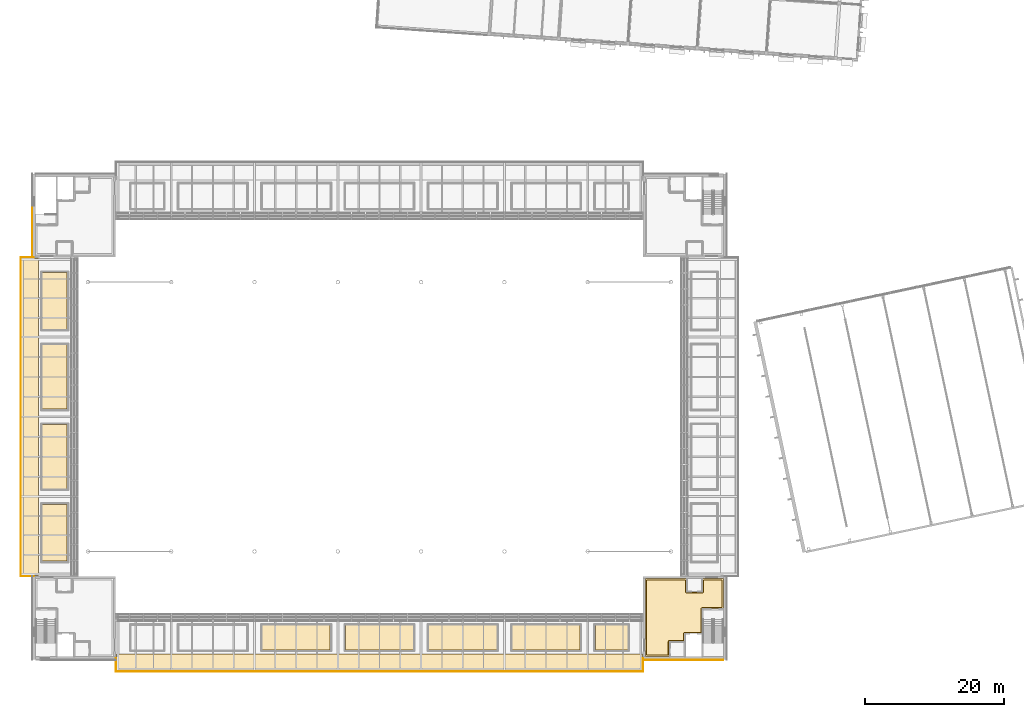
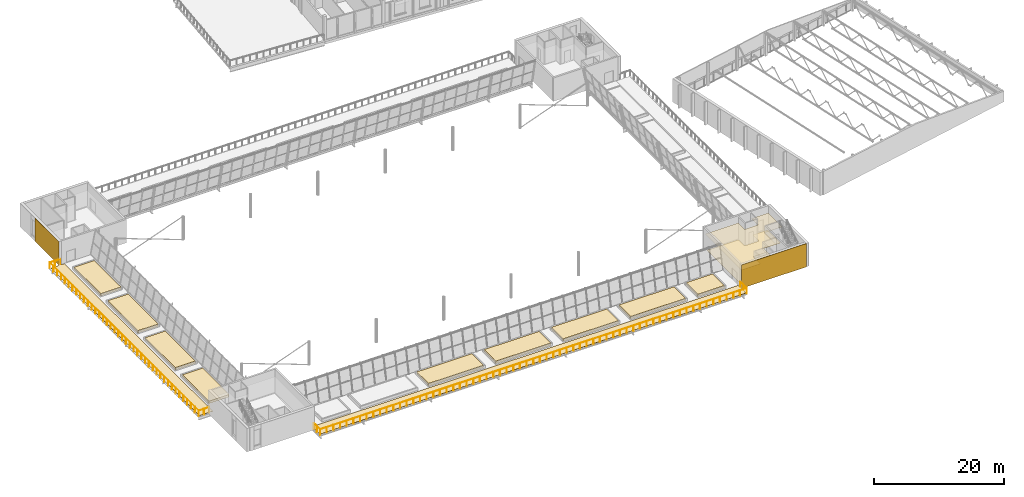
# One storey, part 49 of 58: 15 coverings, 2 railings.
"""IFC4 building model written with IfcOpenShell, lengths in metres."""

from ifc_helpers import new_model, si_unit, direction, frame, origin, origin_2d, place, context, subcontext, project, spatial, polyline, circle, outline, extrude, material, layer, layer_set, type_object, element, save


model = new_model("IFC4")

# Units and contexts
model_context = context("Model", 3, precision=1e-05, world=origin(), true_north=direction((0.0, 1.0)))
body_context = subcontext(model_context, "Body", "Model", "MODEL_VIEW")
ifc_project = project(units=[si_unit("LENGTHUNIT", "METRE"), si_unit("AREAUNIT", "SQUARE_METRE"), si_unit("VOLUMEUNIT", "CUBIC_METRE"), si_unit("PLANEANGLEUNIT", "RADIAN"), si_unit("MASSUNIT", "GRAM", prefix="KILO")], contexts=[model_context])

# Site, building, storey
site_placement = place(None, origin())
site = spatial("IfcSite", under=ifc_project, at=site_placement, CompositionType="ELEMENT")
building_placement = place(site_placement, origin())
building = spatial("IfcBuilding", under=site, at=building_placement, Name="Windward Yard Aquatics Centre", CompositionType="ELEMENT")
storey_placement = place(building_placement, frame((0.0, 0.0, 13.800048828125)))
storey = spatial("IfcBuildingStorey", under=building, at=storey_placement, Name="L03", CompositionType="ELEMENT", Elevation=13.800048828125)

# Coverings
ifc_material_1 = material(Name="Polished screed")
ifc_layer_1 = layer(ifc_material_1, 0.0400390625)
ifc_layer_set_1 = layer_set([ifc_layer_1], Name="H Floor Finish Screed 40")
covering_type_1 = type_object("IfcCoveringType", Name="H Floor Finish Screed 40", PredefinedType="FLOORING", material=ifc_layer_set_1)
covering_1_placement = place(storey_placement, origin())
element("IfcCovering", 1, at=covering_1_placement, inside=storey, type_object=covering_type_1, Name="Core Lobby SE floor finish", PredefinedType="FLOORING", context=body_context, shape_type="SweptSolid", body=[
    extrude(outline(polyline([(140.5, 26.64990234375), (140.5, 37.5), (146.10009765625, 37.5), (146.10107421875, 35.780517578125), (146.108642578125, 35.741943359375), (146.115234375, 35.723388671875), (146.1337890625, 35.68896484375), (146.15869140625, 35.65869140625), (146.18896484375, 35.6337890625), (146.223388671875, 35.615234375), (146.260986328125, 35.603759765625), (146.300048828125, 35.60009765625), (148.5, 35.60009765625), (148.51953125, 35.60107421875), (148.55810546875, 35.608642578125), (148.59423828125, 35.62353515625), (148.626953125, 35.6455078125), (148.641357421875, 35.65869140625), (148.666259765625, 35.68896484375), (148.684814453125, 35.723388671875), (148.6962890625, 35.760986328125), (148.699951171875, 35.800048828125), (148.699951171875, 37.5), (151.35009765625, 37.5), (151.35009765625, 33.5), (148.5, 33.5), (148.48046875, 33.4990234375), (148.44189453125, 33.491455078125), (148.40576171875, 33.476318359375), (148.373046875, 33.45458984375), (148.358642578125, 33.44140625), (148.333740234375, 33.4111328125), (148.315185546875, 33.37646484375), (148.3037109375, 33.339111328125), (148.300048828125, 33.300048828125), (148.300048828125, 29.949951171875), (146.0, 29.949951171875), (145.9609375, 29.9462890625), (145.94189453125, 29.94140625), (145.923583984375, 29.934814453125), (145.888916015625, 29.916259765625), (145.858642578125, 29.891357421875), (145.845458984375, 29.876953125), (145.833740234375, 29.861083984375), (145.815185546875, 29.826416015625), (145.80859375, 29.80810546875), (145.801025390625, 29.76953125), (145.800048828125, 28.800048828125), (143.800048828125, 28.800048828125), (143.760986328125, 28.796142578125), (143.741943359375, 28.79150390625), (143.723388671875, 28.784912109375), (143.68896484375, 28.766357421875), (143.65869140625, 28.741455078125), (143.6337890625, 28.711181640625), (143.62353515625, 28.6943359375), (143.608642578125, 28.658203125), (143.60107421875, 28.61962890625), (143.60009765625, 28.60009765625), (143.60009765625, 26.64990234375), (140.5, 26.64990234375)])), origin(), (0.0, 0.0, 1.0), 0.02001953125),
])
ifc_material_2 = material(Name="Mineral fibre tile")
ifc_layer_2 = layer(ifc_material_2, 0.02001953125)
ifc_layer_set_2 = layer_set([ifc_layer_2], Name="H Suspended Ceiling 600 x 600")
covering_type_2 = type_object("IfcCoveringType", Name="H Suspended Ceiling 600 x 600", PredefinedType="CEILING", material=ifc_layer_set_2)
covering_2_placement = place(storey_placement, frame((0.0, 0.0, 3.0)))
element("IfcCovering", 2, at=covering_2_placement, inside=storey, type_object=covering_type_2, Name="Core Lobby SE ceiling", PredefinedType="CEILING", context=body_context, shape_type="SweptSolid", body=[
    extrude(outline(polyline([(140.300537109375, 26.450439453125), (140.300537109375, 37.699462890625), (146.224609375, 37.699462890625), (146.224609375, 35.72509765625), (148.575439453125, 35.72509765625), (148.575439453125, 37.699462890625), (151.549560546875, 37.699462890625), (151.549560546875, 33.400390625), (148.3994140625, 33.39990234375), (148.3994140625, 29.8505859375), (145.8994140625, 29.85009765625), (145.8994140625, 28.675537109375), (143.724609375, 28.675048828125), (143.724609375, 26.450439453125), (140.300537109375, 26.450439453125)])), origin(), (0.0, 0.0, 1.0), 0.02001953125),
])
ifc_material_3 = material(Name="Natural limestone cladding", Category="masonry")
ifc_layer_3 = layer(ifc_material_3, 0.0400390625)
ifc_layer_set_3 = layer_set([ifc_layer_3], Name="H natural stone cladding 40")
covering_type_3 = type_object("IfcCoveringType", Name="H natural stone cladding 40", PredefinedType="CLADDING", material=ifc_layer_set_3)
covering_3_placement = place(storey_placement, origin())
element("IfcCovering", 3, at=covering_3_placement, inside=storey, type_object=covering_type_3, Name="Stone cladding panel 83", PredefinedType="CLADDING", context=body_context, shape_type="SweptSolid", body=[
    extrude(outline(polyline([(51.9599609375, 84.0), (51.9599609375, 91.39990234375), (52.0, 91.39990234375), (52.0, 84.0), (51.9599609375, 84.0)])), origin(), (0.0, 0.0, 1.0), 4.39990234375),
])
covering_4_placement = place(storey_placement, origin())
element("IfcCovering", 4, at=covering_4_placement, inside=storey, type_object=covering_type_3, Name="Stone cladding panel 109", PredefinedType="CLADDING", context=body_context, shape_type="SweptSolid", body=[
    extrude(outline(polyline([(140.0, 25.9599609375), (151.550048828125, 25.9599609375), (151.550048828125, 26.0), (140.0, 26.0), (140.0, 25.9599609375)])), origin(), (0.0, 0.0, 1.0), 4.39990234375),
])
ifc_material_4 = material(Name="Planting soil")
ifc_layer_4 = layer(ifc_material_4, 0.398, Name="Planting")
ifc_material_5 = material(Name="Filter fabric")
ifc_layer_5 = layer(ifc_material_5, 0.002, Name="Filter")
ifc_material_6 = material(Name="Drainage board")
ifc_layer_6 = layer(ifc_material_6, 0.05, Name="Drainage")
ifc_layer_set_4 = layer_set([ifc_layer_4, ifc_layer_5, ifc_layer_6], Name="H planting bed 450")
covering_type_4 = type_object("IfcCoveringType", Name="H planting bed 450", PredefinedType="USERDEFINED", material=ifc_layer_set_4)
covering_5_placement = place(storey_placement, origin())
element("IfcCovering", 5, at=covering_5_placement, inside=storey, type_object=covering_type_4, Name="Planting bed T1 S3", ObjectType="PLANTING BED", PredefinedType="USERDEFINED", context=body_context, shape_type="SweptSolid", body=[
    extrude(outline(polyline([(85.10009765625, 27.39990234375), (94.89990234375, 27.39990234375), (94.89990234375, 31.0), (85.10009765625, 31.0), (85.10009765625, 27.39990234375)])), origin(), (0.0, 0.0, 1.0), 0.449951171875),
])
covering_6_placement = place(storey_placement, origin())
element("IfcCovering", 6, at=covering_6_placement, inside=storey, type_object=covering_type_4, Name="Planting bed T1 S4", ObjectType="PLANTING BED", PredefinedType="USERDEFINED", context=body_context, shape_type="SweptSolid", body=[
    extrude(outline(polyline([(97.10009765625, 27.39990234375), (106.89990234375, 27.39990234375), (106.89990234375, 31.0), (97.10009765625, 31.0), (97.10009765625, 27.39990234375)])), origin(), (0.0, 0.0, 1.0), 0.449951171875),
])
covering_7_placement = place(storey_placement, origin())
element("IfcCovering", 7, at=covering_7_placement, inside=storey, type_object=covering_type_4, Name="Planting bed T1 S5", ObjectType="PLANTING BED", PredefinedType="USERDEFINED", context=body_context, shape_type="SweptSolid", body=[
    extrude(outline(polyline([(109.10009765625, 27.39990234375), (118.89990234375, 27.39990234375), (118.89990234375, 31.0), (109.10009765625, 31.0), (109.10009765625, 27.39990234375)])), origin(), (0.0, 0.0, 1.0), 0.449951171875),
])
covering_8_placement = place(storey_placement, origin())
element("IfcCovering", 8, at=covering_8_placement, inside=storey, type_object=covering_type_4, Name="Planting bed T1 S6", ObjectType="PLANTING BED", PredefinedType="USERDEFINED", context=body_context, shape_type="SweptSolid", body=[
    extrude(outline(polyline([(121.10009765625, 27.39990234375), (130.89990234375, 27.39990234375), (130.89990234375, 31.0), (121.10009765625, 31.0), (121.10009765625, 27.39990234375)])), origin(), (0.0, 0.0, 1.0), 0.449951171875),
])
covering_9_placement = place(storey_placement, origin())
element("IfcCovering", 9, at=covering_9_placement, inside=storey, type_object=covering_type_4, Name="Planting bed T1 S7", ObjectType="PLANTING BED", PredefinedType="USERDEFINED", context=body_context, shape_type="SweptSolid", body=[
    extrude(outline(polyline([(133.10009765625, 27.39990234375), (137.800048828125, 27.39990234375), (137.800048828125, 31.0), (133.10009765625, 31.0), (133.10009765625, 27.39990234375)])), origin(), (0.0, 0.0, 1.0), 0.449951171875),
])
covering_10_placement = place(storey_placement, origin())
element("IfcCovering", 10, at=covering_10_placement, inside=storey, type_object=covering_type_4, Name="Planting bed T1 W1", ObjectType="PLANTING BED", PredefinedType="USERDEFINED", context=body_context, shape_type="SweptSolid", body=[
    extrude(outline(polyline([(53.39990234375, 40.199951171875), (57.0, 40.199951171875), (57.0, 48.39990234375), (53.39990234375, 48.39990234375), (53.39990234375, 40.199951171875)])), origin(), (0.0, 0.0, 1.0), 0.449951171875),
])
covering_11_placement = place(storey_placement, origin())
element("IfcCovering", 11, at=covering_11_placement, inside=storey, type_object=covering_type_4, Name="Planting bed T1 W2", ObjectType="PLANTING BED", PredefinedType="USERDEFINED", context=body_context, shape_type="SweptSolid", body=[
    extrude(outline(polyline([(53.39990234375, 50.60009765625), (57.0, 50.60009765625), (57.0, 59.89990234375), (53.39990234375, 59.89990234375), (53.39990234375, 50.60009765625)])), origin(), (0.0, 0.0, 1.0), 0.449951171875),
])
covering_12_placement = place(storey_placement, origin())
element("IfcCovering", 12, at=covering_12_placement, inside=storey, type_object=covering_type_4, Name="Planting bed T1 W3", ObjectType="PLANTING BED", PredefinedType="USERDEFINED", context=body_context, shape_type="SweptSolid", body=[
    extrude(outline(polyline([(53.39990234375, 62.10009765625), (57.0, 62.10009765625), (57.0, 71.39990234375), (53.39990234375, 71.39990234375), (53.39990234375, 62.10009765625)])), origin(), (0.0, 0.0, 1.0), 0.449951171875),
])
covering_13_placement = place(storey_placement, origin())
element("IfcCovering", 13, at=covering_13_placement, inside=storey, type_object=covering_type_4, Name="Planting bed T1 W4", ObjectType="PLANTING BED", PredefinedType="USERDEFINED", context=body_context, shape_type="SweptSolid", body=[
    extrude(outline(polyline([(53.39990234375, 73.60009765625), (57.0, 73.60009765625), (57.0, 81.800048828125), (53.39990234375, 81.800048828125), (53.39990234375, 73.60009765625)])), origin(), (0.0, 0.0, 1.0), 0.449951171875),
])

# Railings
ifc_material_7 = material(Name="Stainless steel 1.4401 with toughened laminated glass infill", Category="steel")
railing_type = type_object("IfcRailingType", Name="H terrace guard 1100", PredefinedType="GUARDRAIL", material=ifc_material_7)
railing_1_placement = place(storey_placement, frame((64.02099609375, 26.199951171875, 0.0)))
element("IfcRailing", 14, at=railing_1_placement, inside=storey, type_object=railing_type, Name="Terrace 1 guard S", PredefinedType="GUARDRAIL", context=body_context, shape_type="SweptSolid", body=[
    extrude(circle(Radius=0.02392578125, at=origin_2d()), frame((0.0, 0.0, 1.076171875), z_axis=(0.0, -1.0, 0.0), x_axis=(1.0, 0.0, 0.0)), (0.0, 0.0, 1.0), 1.889892578125),
    extrude(circle(Radius=0.02392578125, at=origin_2d()), frame((0.0, -1.889892578125, 1.076171875), z_axis=(1.0, 0.0, 0.0), x_axis=(0.0, 1.0, 0.0)), (0.0, 0.0, 1.0), 75.9580078125),
    extrude(circle(Radius=0.02392578125, at=origin_2d()), frame((75.9580078125, -1.889892578125, 1.076171875), z_axis=(0.0, 1.0, 0.0), x_axis=(-1.0, 0.0, 0.0)), (0.0, 0.0, 1.0), 1.889892578125),
    extrude(circle(Radius=0.02099609375, at=origin_2d()), origin(), (0.0, 0.0, 1.0), 1.052001953125),
    extrude(circle(Radius=0.02099609375, at=origin_2d()), frame((0.0, -0.94482421875, 0.0)), (0.0, 0.0, 1.0), 1.052001953125),
    extrude(circle(Radius=0.02099609375, at=origin_2d()), frame((0.0, -1.889892578125, 0.0)), (0.0, 0.0, 1.0), 1.052001953125),
    extrude(circle(Radius=0.02099609375, at=origin_2d()), frame((1.186767578125, -1.889892578125, 0.0)), (0.0, 0.0, 1.0), 1.052001953125),
    extrude(circle(Radius=0.02099609375, at=origin_2d()), frame((2.373779296875, -1.889892578125, 0.0)), (0.0, 0.0, 1.0), 1.052001953125),
    extrude(circle(Radius=0.02099609375, at=origin_2d()), frame((3.560546875, -1.889892578125, 0.0)), (0.0, 0.0, 1.0), 1.052001953125),
    extrude(circle(Radius=0.02099609375, at=origin_2d()), frame((4.747314453125, -1.889892578125, 0.0)), (0.0, 0.0, 1.0), 1.052001953125),
    extrude(circle(Radius=0.02099609375, at=origin_2d()), frame((5.934326171875, -1.889892578125, 0.0)), (0.0, 0.0, 1.0), 1.052001953125),
    extrude(circle(Radius=0.02099609375, at=origin_2d()), frame((7.12109375, -1.889892578125, 0.0)), (0.0, 0.0, 1.0), 1.052001953125),
    extrude(circle(Radius=0.02099609375, at=origin_2d()), frame((8.307861328125, -1.889892578125, 0.0)), (0.0, 0.0, 1.0), 1.052001953125),
    extrude(circle(Radius=0.02099609375, at=origin_2d()), frame((9.49462890625, -1.889892578125, 0.0)), (0.0, 0.0, 1.0), 1.052001953125),
    extrude(circle(Radius=0.02099609375, at=origin_2d()), frame((10.681640625, -1.889892578125, 0.0)), (0.0, 0.0, 1.0), 1.052001953125),
    extrude(circle(Radius=0.02099609375, at=origin_2d()), frame((11.868408203125, -1.889892578125, 0.0)), (0.0, 0.0, 1.0), 1.052001953125),
    extrude(circle(Radius=0.02099609375, at=origin_2d()), frame((13.05517578125, -1.889892578125, 0.0)), (0.0, 0.0, 1.0), 1.052001953125),
    extrude(circle(Radius=0.02099609375, at=origin_2d()), frame((14.2421875, -1.889892578125, 0.0)), (0.0, 0.0, 1.0), 1.052001953125),
    extrude(circle(Radius=0.02099609375, at=origin_2d()), frame((15.428955078125, -1.889892578125, 0.0)), (0.0, 0.0, 1.0), 1.052001953125),
    extrude(circle(Radius=0.02099609375, at=origin_2d()), frame((16.61572265625, -1.889892578125, 0.0)), (0.0, 0.0, 1.0), 1.052001953125),
    extrude(circle(Radius=0.02099609375, at=origin_2d()), frame((17.802734375, -1.889892578125, 0.0)), (0.0, 0.0, 1.0), 1.052001953125),
    extrude(circle(Radius=0.02099609375, at=origin_2d()), frame((18.989501953125, -1.889892578125, 0.0)), (0.0, 0.0, 1.0), 1.052001953125),
    extrude(circle(Radius=0.02099609375, at=origin_2d()), frame((20.17626953125, -1.889892578125, 0.0)), (0.0, 0.0, 1.0), 1.052001953125),
    extrude(circle(Radius=0.02099609375, at=origin_2d()), frame((21.36328125, -1.889892578125, 0.0)), (0.0, 0.0, 1.0), 1.052001953125),
    extrude(circle(Radius=0.02099609375, at=origin_2d()), frame((22.550048828125, -1.889892578125, 0.0)), (0.0, 0.0, 1.0), 1.052001953125),
    extrude(circle(Radius=0.02099609375, at=origin_2d()), frame((23.73681640625, -1.889892578125, 0.0)), (0.0, 0.0, 1.0), 1.052001953125),
    extrude(circle(Radius=0.02099609375, at=origin_2d()), frame((24.923828125, -1.889892578125, 0.0)), (0.0, 0.0, 1.0), 1.052001953125),
    extrude(circle(Radius=0.02099609375, at=origin_2d()), frame((26.110595703125, -1.889892578125, 0.0)), (0.0, 0.0, 1.0), 1.052001953125),
    extrude(circle(Radius=0.02099609375, at=origin_2d()), frame((27.29736328125, -1.889892578125, 0.0)), (0.0, 0.0, 1.0), 1.052001953125),
    extrude(circle(Radius=0.02099609375, at=origin_2d()), frame((28.484375, -1.889892578125, 0.0)), (0.0, 0.0, 1.0), 1.052001953125),
    extrude(circle(Radius=0.02099609375, at=origin_2d()), frame((29.671142578125, -1.889892578125, 0.0)), (0.0, 0.0, 1.0), 1.052001953125),
    extrude(circle(Radius=0.02099609375, at=origin_2d()), frame((30.85791015625, -1.889892578125, 0.0)), (0.0, 0.0, 1.0), 1.052001953125),
    extrude(circle(Radius=0.02099609375, at=origin_2d()), frame((32.044677734375, -1.889892578125, 0.0)), (0.0, 0.0, 1.0), 1.052001953125),
    extrude(circle(Radius=0.02099609375, at=origin_2d()), frame((33.231689453125, -1.889892578125, 0.0)), (0.0, 0.0, 1.0), 1.052001953125),
    extrude(circle(Radius=0.02099609375, at=origin_2d()), frame((34.41845703125, -1.889892578125, 0.0)), (0.0, 0.0, 1.0), 1.052001953125),
    extrude(circle(Radius=0.02099609375, at=origin_2d()), frame((35.605224609375, -1.889892578125, 0.0)), (0.0, 0.0, 1.0), 1.052001953125),
    extrude(circle(Radius=0.02099609375, at=origin_2d()), frame((36.792236328125, -1.889892578125, 0.0)), (0.0, 0.0, 1.0), 1.052001953125),
    extrude(circle(Radius=0.02099609375, at=origin_2d()), frame((37.97900390625, -1.889892578125, 0.0)), (0.0, 0.0, 1.0), 1.052001953125),
    extrude(circle(Radius=0.02099609375, at=origin_2d()), frame((39.165771484375, -1.889892578125, 0.0)), (0.0, 0.0, 1.0), 1.052001953125),
    extrude(circle(Radius=0.02099609375, at=origin_2d()), frame((40.352783203125, -1.889892578125, 0.0)), (0.0, 0.0, 1.0), 1.052001953125),
    extrude(circle(Radius=0.02099609375, at=origin_2d()), frame((41.53955078125, -1.889892578125, 0.0)), (0.0, 0.0, 1.0), 1.052001953125),
    extrude(circle(Radius=0.02099609375, at=origin_2d()), frame((42.726318359375, -1.889892578125, 0.0)), (0.0, 0.0, 1.0), 1.052001953125),
    extrude(circle(Radius=0.02099609375, at=origin_2d()), frame((43.913330078125, -1.889892578125, 0.0)), (0.0, 0.0, 1.0), 1.052001953125),
    extrude(circle(Radius=0.02099609375, at=origin_2d()), frame((45.10009765625, -1.889892578125, 0.0)), (0.0, 0.0, 1.0), 1.052001953125),
    extrude(circle(Radius=0.02099609375, at=origin_2d()), frame((46.286865234375, -1.889892578125, 0.0)), (0.0, 0.0, 1.0), 1.052001953125),
    extrude(circle(Radius=0.02099609375, at=origin_2d()), frame((47.4736328125, -1.889892578125, 0.0)), (0.0, 0.0, 1.0), 1.052001953125),
    extrude(circle(Radius=0.02099609375, at=origin_2d()), frame((48.66064453125, -1.889892578125, 0.0)), (0.0, 0.0, 1.0), 1.052001953125),
    extrude(circle(Radius=0.02099609375, at=origin_2d()), frame((49.847412109375, -1.889892578125, 0.0)), (0.0, 0.0, 1.0), 1.052001953125),
    extrude(circle(Radius=0.02099609375, at=origin_2d()), frame((51.0341796875, -1.889892578125, 0.0)), (0.0, 0.0, 1.0), 1.052001953125),
    extrude(circle(Radius=0.02099609375, at=origin_2d()), frame((52.22119140625, -1.889892578125, 0.0)), (0.0, 0.0, 1.0), 1.052001953125),
    extrude(circle(Radius=0.02099609375, at=origin_2d()), frame((53.407958984375, -1.889892578125, 0.0)), (0.0, 0.0, 1.0), 1.052001953125),
    extrude(circle(Radius=0.02099609375, at=origin_2d()), frame((54.5947265625, -1.889892578125, 0.0)), (0.0, 0.0, 1.0), 1.052001953125),
    extrude(circle(Radius=0.02099609375, at=origin_2d()), frame((55.78173828125, -1.889892578125, 0.0)), (0.0, 0.0, 1.0), 1.052001953125),
    extrude(circle(Radius=0.02099609375, at=origin_2d()), frame((56.968505859375, -1.889892578125, 0.0)), (0.0, 0.0, 1.0), 1.052001953125),
    extrude(circle(Radius=0.02099609375, at=origin_2d()), frame((58.1552734375, -1.889892578125, 0.0)), (0.0, 0.0, 1.0), 1.052001953125),
    extrude(circle(Radius=0.02099609375, at=origin_2d()), frame((59.34228515625, -1.889892578125, 0.0)), (0.0, 0.0, 1.0), 1.052001953125),
    extrude(circle(Radius=0.02099609375, at=origin_2d()), frame((60.529052734375, -1.889892578125, 0.0)), (0.0, 0.0, 1.0), 1.052001953125),
    extrude(circle(Radius=0.02099609375, at=origin_2d()), frame((61.7158203125, -1.889892578125, 0.0)), (0.0, 0.0, 1.0), 1.052001953125),
    extrude(circle(Radius=0.02099609375, at=origin_2d()), frame((62.90283203125, -1.889892578125, 0.0)), (0.0, 0.0, 1.0), 1.052001953125),
    extrude(circle(Radius=0.02099609375, at=origin_2d()), frame((64.089599609375, -1.889892578125, 0.0)), (0.0, 0.0, 1.0), 1.052001953125),
    extrude(circle(Radius=0.02099609375, at=origin_2d()), frame((65.2763671875, -1.889892578125, 0.0)), (0.0, 0.0, 1.0), 1.052001953125),
    extrude(circle(Radius=0.02099609375, at=origin_2d()), frame((66.46337890625, -1.889892578125, 0.0)), (0.0, 0.0, 1.0), 1.052001953125),
    extrude(circle(Radius=0.02099609375, at=origin_2d()), frame((67.650146484375, -1.889892578125, 0.0)), (0.0, 0.0, 1.0), 1.052001953125),
    extrude(circle(Radius=0.02099609375, at=origin_2d()), frame((68.8369140625, -1.889892578125, 0.0)), (0.0, 0.0, 1.0), 1.052001953125),
    extrude(circle(Radius=0.02099609375, at=origin_2d()), frame((70.023681640625, -1.889892578125, 0.0)), (0.0, 0.0, 1.0), 1.052001953125),
    extrude(circle(Radius=0.02099609375, at=origin_2d()), frame((71.210693359375, -1.889892578125, 0.0)), (0.0, 0.0, 1.0), 1.052001953125),
    extrude(circle(Radius=0.02099609375, at=origin_2d()), frame((72.3974609375, -1.889892578125, 0.0)), (0.0, 0.0, 1.0), 1.052001953125),
    extrude(circle(Radius=0.02099609375, at=origin_2d()), frame((73.584228515625, -1.889892578125, 0.0)), (0.0, 0.0, 1.0), 1.052001953125),
    extrude(circle(Radius=0.02099609375, at=origin_2d()), frame((74.771240234375, -1.889892578125, 0.0)), (0.0, 0.0, 1.0), 1.052001953125),
    extrude(circle(Radius=0.02099609375, at=origin_2d()), frame((75.9580078125, -1.889892578125, 0.0)), (0.0, 0.0, 1.0), 1.052001953125),
    extrude(circle(Radius=0.02099609375, at=origin_2d()), frame((75.9580078125, -0.94482421875, 0.0)), (0.0, 0.0, 1.0), 1.052001953125),
    extrude(circle(Radius=0.02099609375, at=origin_2d()), frame((75.9580078125, 0.0, 0.0)), (0.0, 0.0, 1.0), 1.052001953125),
])
railing_2_placement = place(storey_placement, frame((52.199951171875, 38.02099609375, 0.0)))
element("IfcRailing", 15, at=railing_2_placement, inside=storey, type_object=railing_type, Name="Terrace 1 guard W", PredefinedType="GUARDRAIL", context=body_context, shape_type="SweptSolid", body=[
    extrude(circle(Radius=0.02392578125, at=origin_2d()), frame((0.0, 0.0, 1.076171875), z_axis=(-1.0, 0.0, 0.0), x_axis=(0.0, -1.0, 0.0)), (0.0, 0.0, 1.0), 1.889892578125),
    extrude(circle(Radius=0.02392578125, at=origin_2d()), frame((-1.889892578125, 0.0, 1.076171875), z_axis=(0.0, 1.0, 0.0), x_axis=(-1.0, 0.0, 0.0)), (0.0, 0.0, 1.0), 45.9580078125),
    extrude(circle(Radius=0.02392578125, at=origin_2d()), frame((-1.889892578125, 45.9580078125, 1.076171875), z_axis=(1.0, 0.0, 0.0), x_axis=(0.0, 1.0, 0.0)), (0.0, 0.0, 1.0), 1.889892578125),
    extrude(circle(Radius=0.02099609375, at=origin_2d()), origin(), (0.0, 0.0, 1.0), 1.052001953125),
    extrude(circle(Radius=0.02099609375, at=origin_2d()), frame((-0.94482421875, 0.0, 0.0)), (0.0, 0.0, 1.0), 1.052001953125),
    extrude(circle(Radius=0.02099609375, at=origin_2d()), frame((-1.889892578125, 0.0, 0.0)), (0.0, 0.0, 1.0), 1.052001953125),
    extrude(circle(Radius=0.02099609375, at=origin_2d()), frame((-1.889892578125, 1.178466796875, 0.0)), (0.0, 0.0, 1.0), 1.052001953125),
    extrude(circle(Radius=0.02099609375, at=origin_2d()), frame((-1.889892578125, 2.35693359375, 0.0)), (0.0, 0.0, 1.0), 1.052001953125),
    extrude(circle(Radius=0.02099609375, at=origin_2d()), frame((-1.889892578125, 3.53515625, 0.0)), (0.0, 0.0, 1.0), 1.052001953125),
    extrude(circle(Radius=0.02099609375, at=origin_2d()), frame((-1.889892578125, 4.713623046875, 0.0)), (0.0, 0.0, 1.0), 1.052001953125),
    extrude(circle(Radius=0.02099609375, at=origin_2d()), frame((-1.889892578125, 5.89208984375, 0.0)), (0.0, 0.0, 1.0), 1.052001953125),
    extrude(circle(Radius=0.02099609375, at=origin_2d()), frame((-1.889892578125, 7.070556640625, 0.0)), (0.0, 0.0, 1.0), 1.052001953125),
    extrude(circle(Radius=0.02099609375, at=origin_2d()), frame((-1.889892578125, 8.248779296875, 0.0)), (0.0, 0.0, 1.0), 1.052001953125),
    extrude(circle(Radius=0.02099609375, at=origin_2d()), frame((-1.889892578125, 9.42724609375, 0.0)), (0.0, 0.0, 1.0), 1.052001953125),
    extrude(circle(Radius=0.02099609375, at=origin_2d()), frame((-1.889892578125, 10.605712890625, 0.0)), (0.0, 0.0, 1.0), 1.052001953125),
    extrude(circle(Radius=0.02099609375, at=origin_2d()), frame((-1.889892578125, 11.7841796875, 0.0)), (0.0, 0.0, 1.0), 1.052001953125),
    extrude(circle(Radius=0.02099609375, at=origin_2d()), frame((-1.889892578125, 12.96240234375, 0.0)), (0.0, 0.0, 1.0), 1.052001953125),
    extrude(circle(Radius=0.02099609375, at=origin_2d()), frame((-1.889892578125, 14.140869140625, 0.0)), (0.0, 0.0, 1.0), 1.052001953125),
    extrude(circle(Radius=0.02099609375, at=origin_2d()), frame((-1.889892578125, 15.3193359375, 0.0)), (0.0, 0.0, 1.0), 1.052001953125),
    extrude(circle(Radius=0.02099609375, at=origin_2d()), frame((-1.889892578125, 16.497802734375, 0.0)), (0.0, 0.0, 1.0), 1.052001953125),
    extrude(circle(Radius=0.02099609375, at=origin_2d()), frame((-1.889892578125, 17.67626953125, 0.0)), (0.0, 0.0, 1.0), 1.052001953125),
    extrude(circle(Radius=0.02099609375, at=origin_2d()), frame((-1.889892578125, 18.8544921875, 0.0)), (0.0, 0.0, 1.0), 1.052001953125),
    extrude(circle(Radius=0.02099609375, at=origin_2d()), frame((-1.889892578125, 20.032958984375, 0.0)), (0.0, 0.0, 1.0), 1.052001953125),
    extrude(circle(Radius=0.02099609375, at=origin_2d()), frame((-1.889892578125, 21.21142578125, 0.0)), (0.0, 0.0, 1.0), 1.052001953125),
    extrude(circle(Radius=0.02099609375, at=origin_2d()), frame((-1.889892578125, 22.389892578125, 0.0)), (0.0, 0.0, 1.0), 1.052001953125),
    extrude(circle(Radius=0.02099609375, at=origin_2d()), frame((-1.889892578125, 23.568115234375, 0.0)), (0.0, 0.0, 1.0), 1.052001953125),
    extrude(circle(Radius=0.02099609375, at=origin_2d()), frame((-1.889892578125, 24.74658203125, 0.0)), (0.0, 0.0, 1.0), 1.052001953125),
    extrude(circle(Radius=0.02099609375, at=origin_2d()), frame((-1.889892578125, 25.925048828125, 0.0)), (0.0, 0.0, 1.0), 1.052001953125),
    extrude(circle(Radius=0.02099609375, at=origin_2d()), frame((-1.889892578125, 27.103515625, 0.0)), (0.0, 0.0, 1.0), 1.052001953125),
    extrude(circle(Radius=0.02099609375, at=origin_2d()), frame((-1.889892578125, 28.28173828125, 0.0)), (0.0, 0.0, 1.0), 1.052001953125),
    extrude(circle(Radius=0.02099609375, at=origin_2d()), frame((-1.889892578125, 29.460205078125, 0.0)), (0.0, 0.0, 1.0), 1.052001953125),
    extrude(circle(Radius=0.02099609375, at=origin_2d()), frame((-1.889892578125, 30.638671875, 0.0)), (0.0, 0.0, 1.0), 1.052001953125),
    extrude(circle(Radius=0.02099609375, at=origin_2d()), frame((-1.889892578125, 31.817138671875, 0.0)), (0.0, 0.0, 1.0), 1.052001953125),
    extrude(circle(Radius=0.02099609375, at=origin_2d()), frame((-1.889892578125, 32.99560546875, 0.0)), (0.0, 0.0, 1.0), 1.052001953125),
    extrude(circle(Radius=0.02099609375, at=origin_2d()), frame((-1.889892578125, 34.173828125, 0.0)), (0.0, 0.0, 1.0), 1.052001953125),
    extrude(circle(Radius=0.02099609375, at=origin_2d()), frame((-1.889892578125, 35.352294921875, 0.0)), (0.0, 0.0, 1.0), 1.052001953125),
    extrude(circle(Radius=0.02099609375, at=origin_2d()), frame((-1.889892578125, 36.53076171875, 0.0)), (0.0, 0.0, 1.0), 1.052001953125),
    extrude(circle(Radius=0.02099609375, at=origin_2d()), frame((-1.889892578125, 37.709228515625, 0.0)), (0.0, 0.0, 1.0), 1.052001953125),
    extrude(circle(Radius=0.02099609375, at=origin_2d()), frame((-1.889892578125, 38.887451171875, 0.0)), (0.0, 0.0, 1.0), 1.052001953125),
    extrude(circle(Radius=0.02099609375, at=origin_2d()), frame((-1.889892578125, 40.06591796875, 0.0)), (0.0, 0.0, 1.0), 1.052001953125),
    extrude(circle(Radius=0.02099609375, at=origin_2d()), frame((-1.889892578125, 41.244384765625, 0.0)), (0.0, 0.0, 1.0), 1.052001953125),
    extrude(circle(Radius=0.02099609375, at=origin_2d()), frame((-1.889892578125, 42.4228515625, 0.0)), (0.0, 0.0, 1.0), 1.052001953125),
    extrude(circle(Radius=0.02099609375, at=origin_2d()), frame((-1.889892578125, 43.60107421875, 0.0)), (0.0, 0.0, 1.0), 1.052001953125),
    extrude(circle(Radius=0.02099609375, at=origin_2d()), frame((-1.889892578125, 44.779541015625, 0.0)), (0.0, 0.0, 1.0), 1.052001953125),
    extrude(circle(Radius=0.02099609375, at=origin_2d()), frame((-1.889892578125, 45.9580078125, 0.0)), (0.0, 0.0, 1.0), 1.052001953125),
    extrude(circle(Radius=0.02099609375, at=origin_2d()), frame((-0.94482421875, 45.9580078125, 0.0)), (0.0, 0.0, 1.0), 1.052001953125),
    extrude(circle(Radius=0.02099609375, at=origin_2d()), frame((0.0, 45.9580078125, 0.0)), (0.0, 0.0, 1.0), 1.052001953125),
])

# Coverings
ifc_material_8 = material(Name="Porcelain paving")
ifc_layer_7 = layer(ifc_material_8, 0.02, Name="Paving")
ifc_material_9 = material(Name="Adjustable pedestal support")
ifc_layer_8 = layer(ifc_material_9, 0.02, Name="Pedestal support")
ifc_layer_set_5 = layer_set([ifc_layer_7, ifc_layer_8], Name="H terrace paving porcelain 40")
covering_type_5 = type_object("IfcCoveringType", Name="H terrace paving porcelain 40", PredefinedType="FLOORING", material=ifc_layer_set_5)
covering_14_placement = place(storey_placement, origin())
element("IfcCovering", 16, at=covering_14_placement, inside=storey, type_object=covering_type_5, Name="Terrace 1 walkway S", PredefinedType="FLOORING", context=body_context, shape_type="SweptSolid", body=[
    extrude(outline(polyline([(64.10009765625, 24.4599609375), (139.89990234375, 24.4599609375), (139.89990234375, 26.860107421875), (64.10009765625, 26.860107421875), (64.10009765625, 24.4599609375)])), origin(), (0.0, 0.0, 1.0), 0.0400390625),
])
covering_15_placement = place(storey_placement, origin())
element("IfcCovering", 17, at=covering_15_placement, inside=storey, type_object=covering_type_5, Name="Terrace 1 walkway W", PredefinedType="FLOORING", context=body_context, shape_type="SweptSolid", body=[
    extrude(outline(polyline([(50.4599609375, 38.10009765625), (52.860107421875, 38.10009765625), (52.860107421875, 83.89990234375), (50.4599609375, 83.89990234375), (50.4599609375, 38.10009765625)])), origin(), (0.0, 0.0, 1.0), 0.0400390625),
])

save(model, "model.ifc")
